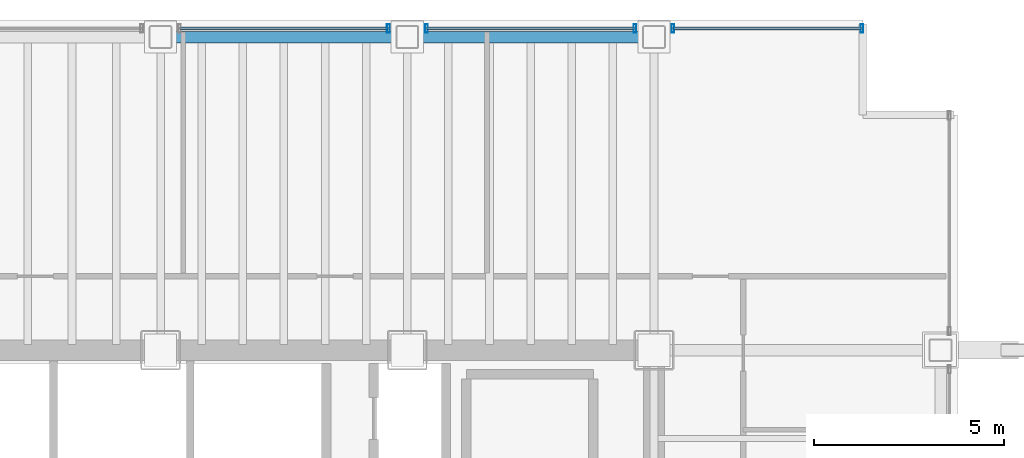
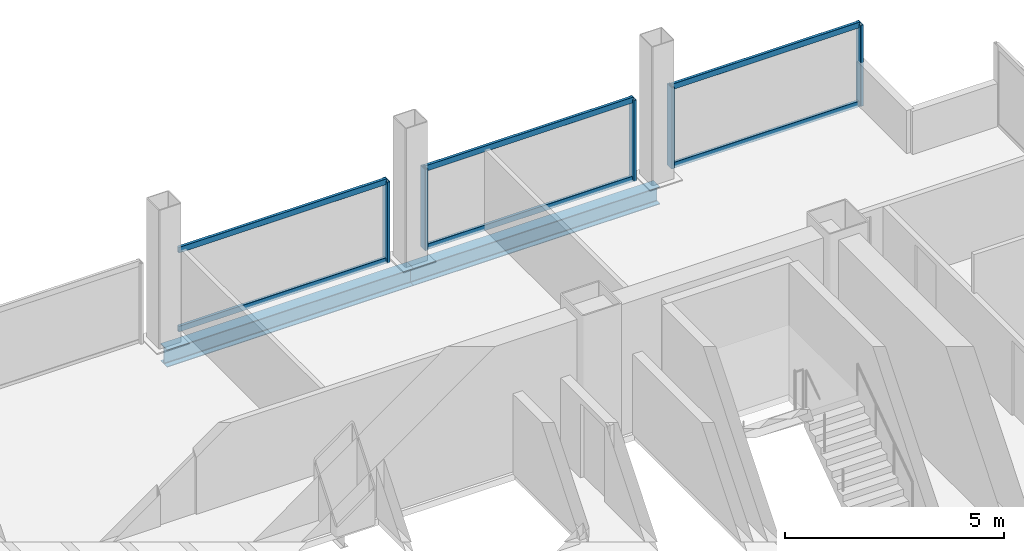
# One storey, part 16 of 21: 11 members, 2 beams, 3 elements without a shape of their own.
"""IFC4 building model written with IfcOpenShell, lengths in metres."""

from ifc_helpers import new_model, si_unit, direction, frame, origin, origin_2d, place, context, subcontext, project, spatial, hollow_rectangle, i_section, extrude, material, material_profile, profile_set, type_object, element, aggregate, save


model = new_model("IFC4")

# Units and contexts
model_context = context("Model", 3, precision=1e-05, world=origin(), true_north=direction((0.0, 1.0)))
body_context = subcontext(model_context, "Body", "Model", "MODEL_VIEW")
ifc_project = project(units=[si_unit("LENGTHUNIT", "METRE"), si_unit("AREAUNIT", "SQUARE_METRE"), si_unit("VOLUMEUNIT", "CUBIC_METRE"), si_unit("PLANEANGLEUNIT", "RADIAN"), si_unit("MASSUNIT", "GRAM", prefix="KILO")], contexts=[model_context])

# Site, building, storey
site_placement = place(None, origin())
site = spatial("IfcSite", under=ifc_project, at=site_placement, CompositionType="ELEMENT")
building_placement = place(site_placement, origin())
building = spatial("IfcBuilding", under=site, at=building_placement, Name="Noeulbin Bourse Tower", CompositionType="ELEMENT")
storey_placement = place(building_placement, frame((0.0, 0.0, 49.89990234375)))
storey = spatial("IfcBuildingStorey", under=building, at=storey_placement, Name="L12", CompositionType="ELEMENT", Elevation=49.89990234375)

# Beams
ifc_material_1 = material(Name="Steel S355", Category="steel")
ifc_material_profile_1 = material_profile(ifc_material_1, i_section(OverallWidth=0.300048828125, OverallDepth=0.488037109375, WebThickness=0.010986328125, FlangeThickness=0.01806640625, FilletRadius=0.02197265625, at=origin_2d()), Name="H-488x300x11x18", Category="LoadBearing")
ifc_profile_set_1 = profile_set([ifc_material_profile_1], Name="Steel S355")
beam_type = type_object("IfcBeamType", Name="BM-SPN-488", PredefinedType="SPANDREL", material=ifc_profile_set_1)
for number, where, z_axis, x_axis, name in (
    (1, (31.0, 46.550048828125, -0.423828125), (1.0, 0.0, 0.0), (0.0, 1.0, 0.0), "North Spandrel L12-3"),
    (2, (37.5, 46.550048828125, -0.423828125), (1.0, 0.0, 0.0), (0.0, 1.0, 0.0), "North Spandrel L12-4"),
):
    element("IfcBeam", number, at=place(storey_placement, frame(where, z_axis=z_axis, x_axis=x_axis)), inside=storey, type_object=beam_type, Name=name, PredefinedType="SPANDREL", context=body_context, shape_type="SweptSolid", body=[
        extrude(i_section(OverallWidth=0.300048828125, OverallDepth=0.488037109375, WebThickness=0.010986328125, FlangeThickness=0.01806640625, FilletRadius=0.02197265625, at=origin_2d()), origin(), (0.0, 0.0, 1.0), 6.5),
    ])

# Curtain wall, member
ifc_material_2 = material(Name="Dark Solar-Control Double Glazing", Category="glass")
curtain_wall_type = type_object("IfcCurtainWallType", Name="CW-SYS-2", PredefinedType="NOTDEFINED", material=ifc_material_2)
curtain_wall_1_placement = place(storey_placement, origin())
curtain_wall_1 = element("IfcCurtainWall", 3, at=curtain_wall_1_placement, inside=storey, type_object=curtain_wall_type, Name="Unitised Curtain Wall CW-L12-N-S4", PredefinedType="NOTDEFINED")
ifc_material_3 = material(Name="Anodised Aluminium 6063-T6", Category="aluminium")
ifc_material_profile_2 = material_profile(ifc_material_3, hollow_rectangle(XDim=0.074951171875, YDim=0.219970703125, WallThickness=0.0048828125, InnerFilletRadius=0.00244140625, OuterFilletRadius=0.0048828125, at=origin_2d()), Name="ALU-MULL-75x220x5", Category="LoadBearing")
ifc_profile_set_2 = profile_set([ifc_material_profile_2], Name="Anodised Aluminium 6063-T6")
member_type_1 = type_object("IfcMemberType", Name="CW-SYS-2-MUL", PredefinedType="MULLION", material=ifc_profile_set_2)
member_1_placement = place(storey_placement, frame((37.0, 46.780029296875, -0.02001953125), z_axis=(0.0, 0.0, 1.0), x_axis=(1.0, 0.0, 0.0)))
member_1 = element("IfcMember", 4, at=member_1_placement, type_object=member_type_1, Name="Curtain Wall Mullion CW-L12-N-S4-M01", PredefinedType="MULLION", context=body_context, shape_type="SweptSolid", body=[
    extrude(hollow_rectangle(XDim=0.074951171875, YDim=0.219970703125, WallThickness=0.0048828125, InnerFilletRadius=0.00244140625, OuterFilletRadius=0.0048828125, at=origin_2d()), origin(), (0.0, 0.0, 1.0), 2.260009765625),
])

# Curtain wall, members
curtain_wall_2_placement = place(storey_placement, origin())
curtain_wall_2 = element("IfcCurtainWall", 5, at=curtain_wall_2_placement, inside=storey, type_object=curtain_wall_type, Name="Unitised Curtain Wall CW-L12-N-S5", PredefinedType="NOTDEFINED")
member_2_placement = place(storey_placement, frame((38.0, 46.780029296875, -0.02001953125), z_axis=(0.0, 0.0, 1.0), x_axis=(1.0, 0.0, 0.0)))
member_2 = element("IfcMember", 6, at=member_2_placement, type_object=member_type_1, Name="Curtain Wall Mullion CW-L12-N-S5-M00", PredefinedType="MULLION", context=body_context, shape_type="SweptSolid", body=[
    extrude(hollow_rectangle(XDim=0.074951171875, YDim=0.219970703125, WallThickness=0.0048828125, InnerFilletRadius=0.00244140625, OuterFilletRadius=0.0048828125, at=origin_2d()), origin(), (0.0, 0.0, 1.0), 2.260009765625),
])
member_3_placement = place(storey_placement, frame((43.5, 46.780029296875, -0.02001953125), z_axis=(0.0, 0.0, 1.0), x_axis=(1.0, 0.0, 0.0)))
member_3 = element("IfcMember", 7, at=member_3_placement, type_object=member_type_1, Name="Curtain Wall Mullion CW-L12-N-S5-M01", PredefinedType="MULLION", context=body_context, shape_type="SweptSolid", body=[
    extrude(hollow_rectangle(XDim=0.074951171875, YDim=0.219970703125, WallThickness=0.0048828125, InnerFilletRadius=0.00244140625, OuterFilletRadius=0.0048828125, at=origin_2d()), origin(), (0.0, 0.0, 1.0), 2.260009765625),
])

curtain_wall_3_placement = place(storey_placement, origin())
curtain_wall_3 = element("IfcCurtainWall", 8, at=curtain_wall_3_placement, inside=storey, type_object=curtain_wall_type, Name="Unitised Curtain Wall CW-L12-N-S6", PredefinedType="NOTDEFINED")
member_4_placement = place(storey_placement, frame((44.5, 46.780029296875, -0.02001953125), z_axis=(0.0, 0.0, 1.0), x_axis=(1.0, 0.0, 0.0)))
member_4 = element("IfcMember", 9, at=member_4_placement, type_object=member_type_1, Name="Curtain Wall Mullion CW-L12-N-S6-M00", PredefinedType="MULLION", context=body_context, shape_type="SweptSolid", body=[
    extrude(hollow_rectangle(XDim=0.074951171875, YDim=0.219970703125, WallThickness=0.0048828125, InnerFilletRadius=0.00244140625, OuterFilletRadius=0.0048828125, at=origin_2d()), origin(), (0.0, 0.0, 1.0), 2.260009765625),
])
member_5_placement = place(storey_placement, frame((49.47998046875, 46.780029296875, -0.02001953125), z_axis=(0.0, 0.0, 1.0), x_axis=(1.0, 0.0, 0.0)))
member_5 = element("IfcMember", 10, at=member_5_placement, type_object=member_type_1, Name="Curtain Wall Mullion CW-L12-N-S6-M01", PredefinedType="MULLION", context=body_context, shape_type="SweptSolid", body=[
    extrude(hollow_rectangle(XDim=0.074951171875, YDim=0.219970703125, WallThickness=0.0048828125, InnerFilletRadius=0.00244140625, OuterFilletRadius=0.0048828125, at=origin_2d()), origin(), (0.0, 0.0, 1.0), 2.260009765625),
])

# Member
ifc_material_profile_3 = material_profile(ifc_material_3, hollow_rectangle(XDim=0.074951171875, YDim=0.159912109375, WallThickness=0.0048828125, InnerFilletRadius=0.00244140625, OuterFilletRadius=0.0048828125, at=origin_2d()), Name="ALU-TRAN-75x160x5", Category="LoadBearing")
ifc_profile_set_3 = profile_set([ifc_material_profile_3], Name="Anodised Aluminium 6063-T6")
member_type_2 = type_object("IfcMemberType", Name="CW-SYS-2-TRN", PredefinedType="USERDEFINED", material=ifc_profile_set_3)
member_6_placement = place(storey_placement, frame((31.510009765625, 46.780029296875, 0.010009765625), z_axis=(1.0, 0.0, 0.0), x_axis=(0.0, 1.0, 0.0)))
member_6 = element("IfcMember", 11, at=member_6_placement, type_object=member_type_2, Name="Curtain Wall Transom CW-L12-N-S4-T00", ObjectType="TRANSOM", PredefinedType="USERDEFINED", context=body_context, shape_type="SweptSolid", body=[
    extrude(hollow_rectangle(XDim=0.074951171875, YDim=0.159912109375, WallThickness=0.0048828125, InnerFilletRadius=0.00244140625, OuterFilletRadius=0.0048828125, at=origin_2d()), origin(), (0.0, 0.0, 1.0), 5.47998046875),
])

member_7_placement = place(storey_placement, frame((31.510009765625, 46.780029296875, 2.210205078125), z_axis=(1.0, 0.0, 0.0), x_axis=(0.0, 1.0, 0.0)))
member_7 = element("IfcMember", 12, at=member_7_placement, type_object=member_type_2, Name="Curtain Wall Transom CW-L12-N-S4-T01", ObjectType="TRANSOM", PredefinedType="USERDEFINED", context=body_context, shape_type="SweptSolid", body=[
    extrude(hollow_rectangle(XDim=0.074951171875, YDim=0.159912109375, WallThickness=0.0048828125, InnerFilletRadius=0.00244140625, OuterFilletRadius=0.0048828125, at=origin_2d()), origin(), (0.0, 0.0, 1.0), 5.47998046875),
])

aggregate(curtain_wall_1, [member_1, member_6, member_7])

member_8_placement = place(storey_placement, frame((38.010009765625, 46.780029296875, 0.010009765625), z_axis=(1.0, 0.0, 0.0), x_axis=(0.0, 1.0, 0.0)))
member_8 = element("IfcMember", 13, at=member_8_placement, type_object=member_type_2, Name="Curtain Wall Transom CW-L12-N-S5-T00", ObjectType="TRANSOM", PredefinedType="USERDEFINED", context=body_context, shape_type="SweptSolid", body=[
    extrude(hollow_rectangle(XDim=0.074951171875, YDim=0.159912109375, WallThickness=0.0048828125, InnerFilletRadius=0.00244140625, OuterFilletRadius=0.0048828125, at=origin_2d()), origin(), (0.0, 0.0, 1.0), 5.47998046875),
])

member_9_placement = place(storey_placement, frame((38.010009765625, 46.780029296875, 2.210205078125), z_axis=(1.0, 0.0, 0.0), x_axis=(0.0, 1.0, 0.0)))
member_9 = element("IfcMember", 14, at=member_9_placement, type_object=member_type_2, Name="Curtain Wall Transom CW-L12-N-S5-T01", ObjectType="TRANSOM", PredefinedType="USERDEFINED", context=body_context, shape_type="SweptSolid", body=[
    extrude(hollow_rectangle(XDim=0.074951171875, YDim=0.159912109375, WallThickness=0.0048828125, InnerFilletRadius=0.00244140625, OuterFilletRadius=0.0048828125, at=origin_2d()), origin(), (0.0, 0.0, 1.0), 5.47998046875),
])

aggregate(curtain_wall_2, [member_2, member_3, member_8, member_9])

member_10_placement = place(storey_placement, frame((44.510009765625, 46.780029296875, 0.010009765625), z_axis=(1.0, 0.0, 0.0), x_axis=(0.0, 1.0, 0.0)))
member_10 = element("IfcMember", 15, at=member_10_placement, type_object=member_type_2, Name="Curtain Wall Transom CW-L12-N-S6-T00", ObjectType="TRANSOM", PredefinedType="USERDEFINED", context=body_context, shape_type="SweptSolid", body=[
    extrude(hollow_rectangle(XDim=0.074951171875, YDim=0.159912109375, WallThickness=0.0048828125, InnerFilletRadius=0.00244140625, OuterFilletRadius=0.0048828125, at=origin_2d()), origin(), (0.0, 0.0, 1.0), 4.9599609375),
])

member_11_placement = place(storey_placement, frame((44.510009765625, 46.780029296875, 2.210205078125), z_axis=(1.0, 0.0, 0.0), x_axis=(0.0, 1.0, 0.0)))
member_11 = element("IfcMember", 16, at=member_11_placement, type_object=member_type_2, Name="Curtain Wall Transom CW-L12-N-S6-T01", ObjectType="TRANSOM", PredefinedType="USERDEFINED", context=body_context, shape_type="SweptSolid", body=[
    extrude(hollow_rectangle(XDim=0.074951171875, YDim=0.159912109375, WallThickness=0.0048828125, InnerFilletRadius=0.00244140625, OuterFilletRadius=0.0048828125, at=origin_2d()), origin(), (0.0, 0.0, 1.0), 4.9599609375),
])

aggregate(curtain_wall_3, [member_4, member_5, member_10, member_11])

save(model, "model.ifc")
